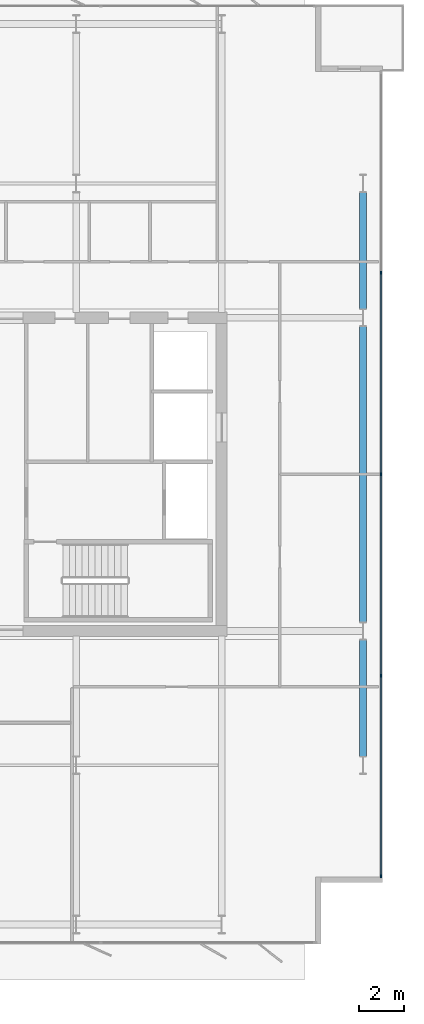
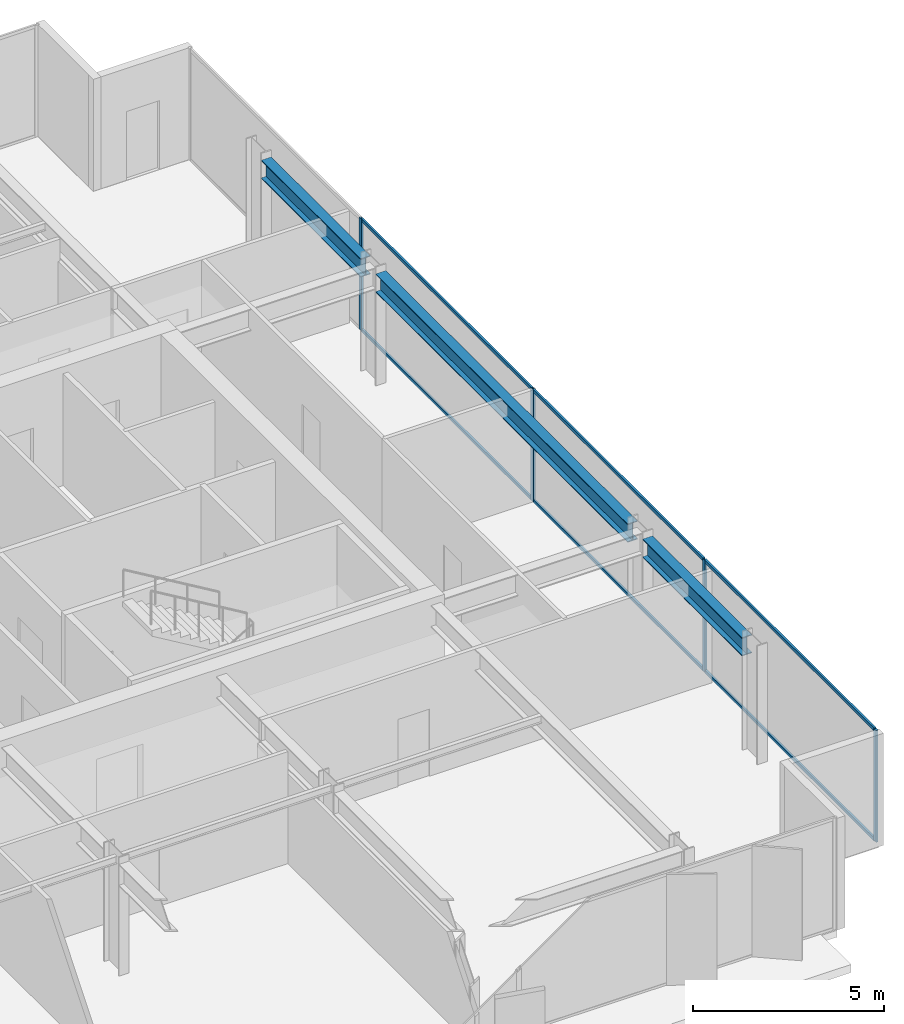
# One storey, part 14 of 23: 10 members, 3 beams, 1 element without a shape of its own.
"""IFC4 building model written with IfcOpenShell, lengths in metres."""

from ifc_helpers import new_model, si_unit, direction, frame, origin, origin_2d, place, context, subcontext, project, spatial, rectangle, i_section, extrude, material, layer, layer_set, material_profile, profile_set, type_object, element, aggregate, save


model = new_model("IFC4")

# Units and contexts
model_context = context("Model", 3, precision=1e-05, world=origin(), true_north=direction((0.0, 1.0)))
body_context = subcontext(model_context, "Body", "Model", "MODEL_VIEW")
ifc_project = project(units=[si_unit("LENGTHUNIT", "METRE"), si_unit("AREAUNIT", "SQUARE_METRE"), si_unit("VOLUMEUNIT", "CUBIC_METRE"), si_unit("PLANEANGLEUNIT", "RADIAN"), si_unit("MASSUNIT", "GRAM", prefix="KILO")], contexts=[model_context])

# Site, building, storey
site_placement = place(None, origin())
site = spatial("IfcSite", under=ifc_project, at=site_placement, CompositionType="ELEMENT")
building_placement = place(site_placement, origin())
building = spatial("IfcBuilding", under=site, at=building_placement, Name="Putna Gate Headquarters", CompositionType="ELEMENT")
storey_placement = place(building_placement, frame((0.0, 0.0, 202.39990234375)))
storey = spatial("IfcBuildingStorey", under=building, at=storey_placement, Name="L50", CompositionType="ELEMENT", Elevation=202.39990234375)

# Beams
ifc_material_1 = material(Name="Steel S355J2", Category="steel")
ifc_material_profile_1 = material_profile(ifc_material_1, i_section(OverallWidth=0.300048828125, OverallDepth=0.590087890625, WebThickness=0.012939453125, FlangeThickness=0.02490234375, at=origin_2d()), Name="Steel S355J2")
ifc_profile_set_1 = profile_set([ifc_material_profile_1], Name="Steel S355J2")
beam_type = type_object("IfcBeamType", Name="BM-SPAN-Z4-HEA600", PredefinedType="SPANDREL", material=ifc_profile_set_1)
beam_1_placement = place(storey_placement, frame((71.320068359375, 13.39501953125, 3.28515625), z_axis=(0.0, 1.0, 0.0), x_axis=(-1.0, 0.0, 0.0)))
element("IfcBeam", 1, at=beam_1_placement, inside=storey, type_object=beam_type, Name="L50 E End Spandrel 1", PredefinedType="SPANDREL", context=body_context, shape_type="SweptSolid", body=[
    extrude(i_section(OverallWidth=0.300048828125, OverallDepth=0.590087890625, WebThickness=0.012939453125, FlangeThickness=0.02490234375, at=origin_2d()), origin(), (0.0, 0.0, 1.0), 5.2099609375),
])
beam_2_placement = place(storey_placement, frame((71.320068359375, 19.39501953125, 3.28515625), z_axis=(0.0, 1.0, 0.0), x_axis=(-1.0, 0.0, 0.0)))
element("IfcBeam", 2, at=beam_2_placement, inside=storey, type_object=beam_type, Name="L50 E End Spandrel 2", PredefinedType="SPANDREL", context=body_context, shape_type="SweptSolid", body=[
    extrude(i_section(OverallWidth=0.300048828125, OverallDepth=0.590087890625, WebThickness=0.012939453125, FlangeThickness=0.02490234375, at=origin_2d()), origin(), (0.0, 0.0, 1.0), 13.2099609375),
])
beam_3_placement = place(storey_placement, frame((71.320068359375, 33.39501953125, 3.28515625), z_axis=(0.0, 1.0, 0.0), x_axis=(-1.0, 0.0, 0.0)))
element("IfcBeam", 3, at=beam_3_placement, inside=storey, type_object=beam_type, Name="L50 E End Spandrel 3", PredefinedType="SPANDREL", context=body_context, shape_type="SweptSolid", body=[
    extrude(i_section(OverallWidth=0.300048828125, OverallDepth=0.590087890625, WebThickness=0.012939453125, FlangeThickness=0.02490234375, at=origin_2d()), origin(), (0.0, 0.0, 1.0), 5.2099609375),
])

# Curtain wall, members
ifc_material_2 = material(Name="Anodised bronze aluminium curtain wall", Category="aluminium")
ifc_layer = layer(ifc_material_2, 0.139892578125)
ifc_layer_set = layer_set([ifc_layer], Name="Anodised bronze aluminium curtain wall")
curtain_wall_type = type_object("IfcCurtainWallType", Name="CW-SYS-Z4", PredefinedType="USERDEFINED", material=ifc_layer_set)
curtain_wall_placement = place(storey_placement, origin())
curtain_wall = element("IfcCurtainWall", 4, at=curtain_wall_placement, inside=storey, type_object=curtain_wall_type, Name="L50 East Curtain Wall", ObjectType="STICK CURTAIN WALL", PredefinedType="USERDEFINED")
ifc_material_3 = material(Name="Anodised bronze aluminium EN AW-6060", Category="aluminium")
ifc_material_profile_2 = material_profile(ifc_material_3, rectangle(XDim=0.06005859375, YDim=0.139892578125, at=origin_2d()), Name="Anodised bronze aluminium EN AW-6060")
ifc_profile_set_2 = profile_set([ifc_material_profile_2], Name="Anodised bronze aluminium EN AW-6060")
member_type_1 = type_object("IfcMemberType", Name="MULL-CWM-4", PredefinedType="MULLION", material=ifc_profile_set_2)
member_1_placement = place(storey_placement, frame((72.1201171875, 8.030029296875, 0.0), z_axis=(0.0, 0.0, 1.0), x_axis=(-1.0, 0.0, 0.0)))
member_1 = element("IfcMember", 5, at=member_1_placement, type_object=member_type_1, Name="CWS-4 mullion 1", PredefinedType="MULLION", context=body_context, shape_type="SweptSolid", body=[
    extrude(rectangle(XDim=0.06005859375, YDim=0.139892578125, at=origin_2d()), origin(), (0.0, 0.0, 1.0), 3.580078125),
])
member_2_placement = place(storey_placement, frame((72.1201171875, 17.0, 0.0), z_axis=(0.0, 0.0, 1.0), x_axis=(-1.0, 0.0, 0.0)))
member_2 = element("IfcMember", 6, at=member_2_placement, type_object=member_type_1, Name="CWS-4 mullion 2", PredefinedType="MULLION", context=body_context, shape_type="SweptSolid", body=[
    extrude(rectangle(XDim=0.06005859375, YDim=0.139892578125, at=origin_2d()), origin(), (0.0, 0.0, 1.0), 3.580078125),
])
member_3_placement = place(storey_placement, frame((72.1201171875, 26.0, 0.0), z_axis=(0.0, 0.0, 1.0), x_axis=(-1.0, 0.0, 0.0)))
member_3 = element("IfcMember", 7, at=member_3_placement, type_object=member_type_1, Name="CWS-4 mullion 3", PredefinedType="MULLION", context=body_context, shape_type="SweptSolid", body=[
    extrude(rectangle(XDim=0.06005859375, YDim=0.139892578125, at=origin_2d()), origin(), (0.0, 0.0, 1.0), 3.580078125),
])
member_4_placement = place(storey_placement, frame((72.1201171875, 35.0, 0.0), z_axis=(0.0, 0.0, 1.0), x_axis=(-1.0, 0.0, 0.0)))
member_4 = element("IfcMember", 8, at=member_4_placement, type_object=member_type_1, Name="CWS-4 mullion 4", PredefinedType="MULLION", context=body_context, shape_type="SweptSolid", body=[
    extrude(rectangle(XDim=0.06005859375, YDim=0.139892578125, at=origin_2d()), origin(), (0.0, 0.0, 1.0), 3.580078125),
])
ifc_material_profile_3 = material_profile(ifc_material_3, rectangle(XDim=0.06005859375, YDim=0.10009765625, at=origin_2d()), Name="Anodised bronze aluminium EN AW-6060")
ifc_profile_set_3 = profile_set([ifc_material_profile_3], Name="Anodised bronze aluminium EN AW-6060")
member_type_2 = type_object("IfcMemberType", Name="TRAN-CWT-4", PredefinedType="USERDEFINED", material=ifc_profile_set_3)
member_5_placement = place(storey_placement, frame((72.1201171875, 8.06005859375, 0.030029296875), z_axis=(0.0, 1.0, 0.0), x_axis=(-1.0, 0.0, 0.0)))
member_5 = element("IfcMember", 9, at=member_5_placement, type_object=member_type_2, Name="CWS-4 transom 1.1", ObjectType="TRANSOM", PredefinedType="USERDEFINED", context=body_context, shape_type="SweptSolid", body=[
    extrude(rectangle(XDim=0.06005859375, YDim=0.10009765625, at=origin_2d()), origin(), (0.0, 0.0, 1.0), 8.909912109375),
])
member_6_placement = place(storey_placement, frame((72.1201171875, 8.06005859375, 3.550048828125), z_axis=(0.0, 1.0, 0.0), x_axis=(-1.0, 0.0, 0.0)))
member_6 = element("IfcMember", 10, at=member_6_placement, type_object=member_type_2, Name="CWS-4 transom 1.2", ObjectType="TRANSOM", PredefinedType="USERDEFINED", context=body_context, shape_type="SweptSolid", body=[
    extrude(rectangle(XDim=0.06005859375, YDim=0.10009765625, at=origin_2d()), origin(), (0.0, 0.0, 1.0), 8.909912109375),
])
member_7_placement = place(storey_placement, frame((72.1201171875, 17.030029296875, 0.030029296875), z_axis=(0.0, 1.0, 0.0), x_axis=(-1.0, 0.0, 0.0)))
member_7 = element("IfcMember", 11, at=member_7_placement, type_object=member_type_2, Name="CWS-4 transom 2.1", ObjectType="TRANSOM", PredefinedType="USERDEFINED", context=body_context, shape_type="SweptSolid", body=[
    extrude(rectangle(XDim=0.06005859375, YDim=0.10009765625, at=origin_2d()), origin(), (0.0, 0.0, 1.0), 8.93994140625),
])
member_8_placement = place(storey_placement, frame((72.1201171875, 17.030029296875, 3.550048828125), z_axis=(0.0, 1.0, 0.0), x_axis=(-1.0, 0.0, 0.0)))
member_8 = element("IfcMember", 12, at=member_8_placement, type_object=member_type_2, Name="CWS-4 transom 2.2", ObjectType="TRANSOM", PredefinedType="USERDEFINED", context=body_context, shape_type="SweptSolid", body=[
    extrude(rectangle(XDim=0.06005859375, YDim=0.10009765625, at=origin_2d()), origin(), (0.0, 0.0, 1.0), 8.93994140625),
])
member_9_placement = place(storey_placement, frame((72.1201171875, 26.030029296875, 0.030029296875), z_axis=(0.0, 1.0, 0.0), x_axis=(-1.0, 0.0, 0.0)))
member_9 = element("IfcMember", 13, at=member_9_placement, type_object=member_type_2, Name="CWS-4 transom 3.1", ObjectType="TRANSOM", PredefinedType="USERDEFINED", context=body_context, shape_type="SweptSolid", body=[
    extrude(rectangle(XDim=0.06005859375, YDim=0.10009765625, at=origin_2d()), origin(), (0.0, 0.0, 1.0), 8.93994140625),
])
member_10_placement = place(storey_placement, frame((72.1201171875, 26.030029296875, 3.550048828125), z_axis=(0.0, 1.0, 0.0), x_axis=(-1.0, 0.0, 0.0)))
member_10 = element("IfcMember", 14, at=member_10_placement, type_object=member_type_2, Name="CWS-4 transom 3.2", ObjectType="TRANSOM", PredefinedType="USERDEFINED", context=body_context, shape_type="SweptSolid", body=[
    extrude(rectangle(XDim=0.06005859375, YDim=0.10009765625, at=origin_2d()), origin(), (0.0, 0.0, 1.0), 8.93994140625),
])
aggregate(curtain_wall, [member_1, member_2, member_3, member_4, member_5, member_6, member_7, member_8, member_9, member_10])

save(model, "model.ifc")
